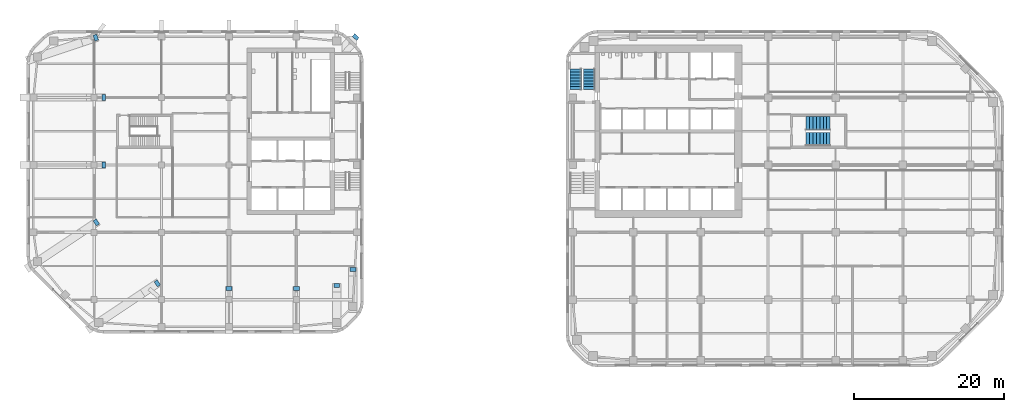
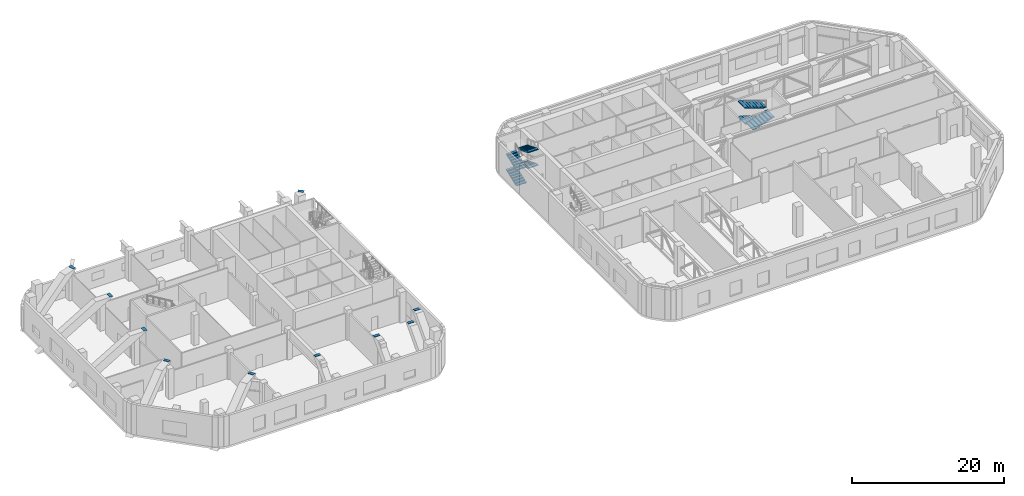
# One storey, part 19 of 23: 10 discrete accessories, 7 stair flights, 2 elements without a shape of their own.
"""IFC4 building model written with IfcOpenShell, lengths in metres."""

import ifcopenshell
import ifcopenshell.guid

model = None  # the IFC model being written
_history = None  # IfcOwnerHistory: only IFC2X3 demands one
_inside = {}  # id of a spatial element -> (the spatial element, [elements in it])
_under = {}  # id of a project, library or spatial element -> (it, [spatial elements below it])
_declared = {}  # id of a project -> (the project, [libraries it declares])
_typed = {}  # id of a type object -> (the type object, [elements of that type])
_made_of = {}  # id of a material, layer set ... -> (it, [elements and type objects made of it])


def new_model(schema):
    """Start an empty IFC model of exactly this schema.

    Asked for "IFC4X3", IfcOpenShell would pick the latest addendum, in which some entities
    have other attributes; the version numbers below select the first issue.
    IFC2X3 requires an IfcOwnerHistory on every rooted entity: one is made here for all.
    """
    global model, _history
    if schema == "IFC4X3":
        model = ifcopenshell.file(schema_version=(4, 3, 0, 0))
    else:
        model = ifcopenshell.file(schema=schema)
    _inside.clear()
    _under.clear()
    _declared.clear()
    _typed.clear()
    _made_of.clear()
    _history = None
    if model.schema == "IFC2X3":
        org = make("IfcOrganization", Name="unknown")
        user = make(
            "IfcPersonAndOrganization",
            ThePerson=make("IfcPerson", FamilyName="unknown"),
            TheOrganization=org,
        )
        app = make(
            "IfcApplication",
            ApplicationDeveloper=org,
            Version="unknown",
            ApplicationFullName="unknown",
            ApplicationIdentifier="unknown",
        )
        _history = make(
            "IfcOwnerHistory",
            OwningUser=user,
            OwningApplication=app,
            ChangeAction="ADDED",
            CreationDate=0,
        )
    return model


def make(cls, **values):
    """One entity of the class cls with the attributes given. An attribute that is None is left unset."""
    return model.create_entity(
        cls, **{name: value for name, value in values.items() if value is not None}
    )


def rooted(cls, **values):
    """An entity with a GlobalId (a new one), such as an element, a storey or a relation."""
    return make(cls, GlobalId=ifcopenshell.guid.new(), OwnerHistory=_history, **values)


def si_unit(unit_type, name, prefix=None):
    """IfcSIUnit, for example si_unit("LENGTHUNIT", "METRE", prefix="MILLI")."""
    return make("IfcSIUnit", UnitType=unit_type, Prefix=prefix, Name=name)


def assignment(units):
    """IfcUnitAssignment: the units of a project."""
    return None if units is None else make("IfcUnitAssignment", Units=units)


def point(xyz):
    """IfcCartesianPoint."""
    return None if xyz is None else make("IfcCartesianPoint", Coordinates=xyz)


def direction(xyz):
    """IfcDirection."""
    return None if xyz is None else make("IfcDirection", DirectionRatios=xyz)


def frame(location, z_axis=None, x_axis=None):
    """IfcAxis2Placement3D, a coordinate frame: its origin and axes. An axis left out is left unset."""
    return make(
        "IfcAxis2Placement3D",
        Location=point(location),
        Axis=direction(z_axis),
        RefDirection=direction(x_axis),
    )


def frame_2d(location, x_axis=None):
    """IfcAxis2Placement2D, a coordinate frame in the plane: its origin and x axis."""
    return make(
        "IfcAxis2Placement2D", Location=point(location), RefDirection=direction(x_axis)
    )


def origin():
    """The frame at (0, 0, 0) with its axes left unset."""
    return frame((0.0, 0.0, 0.0))


def origin_2d():
    """The frame at (0, 0) in the plane with its x axis left unset."""
    return frame_2d((0.0, 0.0))


def place(relative_to, where):
    """IfcLocalPlacement: puts the frame where relative to a parent placement (None: the world)."""
    return make(
        "IfcLocalPlacement", PlacementRelTo=relative_to, RelativePlacement=where
    )


def context(
    kind, dimensions, precision=None, world=None, true_north=None, identifier=None
):
    """IfcGeometricRepresentationContext, for example the 3D "Model" context."""
    return make(
        "IfcGeometricRepresentationContext",
        ContextIdentifier=identifier,
        ContextType=kind,
        CoordinateSpaceDimension=dimensions,
        Precision=precision,
        WorldCoordinateSystem=world,
        TrueNorth=true_north,
    )


def subcontext(parent, identifier, kind, view, scale=None):
    """IfcGeometricRepresentationSubContext, for example "Body" below "Model"."""
    return make(
        "IfcGeometricRepresentationSubContext",
        ContextIdentifier=identifier,
        ContextType=kind,
        ParentContext=parent,
        TargetScale=scale,
        TargetView=view,
    )


def project(units=None, contexts=None):
    """IfcProject with its units and contexts."""
    return rooted(
        "IfcProject",
        Name="project",
        RepresentationContexts=contexts,
        UnitsInContext=assignment(units),
    )


def spatial(cls, under=None, at=None, **own):
    """A site, building, storey or space (cls), placed at a placement, below another one or the project."""
    s = rooted(cls, ObjectPlacement=at, **own)
    if under is not None:
        _under.setdefault(under.id(), (under, []))[1].append(s)
    return s


def polyline(points):
    """IfcPolyline through the points."""
    return make("IfcPolyline", Points=[point(p) for p in points])


def profile(cls, at=None, kind="AREA", **sizes):
    """A parametric profile (cls). Its sizes go by their IFC names, for example OverallWidth=200.0."""
    return make(cls, ProfileType=kind, Position=at, **sizes)


def rectangle(**sizes):
    """IfcRectangleProfileDef."""
    return profile("IfcRectangleProfileDef", **sizes)


def outline(outer, holes=None, kind="AREA"):
    """IfcArbitraryClosedProfileDef: a profile drawn as a closed curve; with holes, ...WithVoids."""
    if holes is None:
        return make("IfcArbitraryClosedProfileDef", ProfileType=kind, OuterCurve=outer)
    return make(
        "IfcArbitraryProfileDefWithVoids",
        ProfileType=kind,
        OuterCurve=outer,
        InnerCurves=holes,
    )


def extrude(swept, where, along, depth):
    """IfcExtrudedAreaSolid: the profile swept, set in the frame where, extruded along a direction by depth."""
    return make(
        "IfcExtrudedAreaSolid",
        SweptArea=swept,
        Position=where,
        ExtrudedDirection=direction(along),
        Depth=depth,
    )


def shape(context_of_items, identifier, shape_type, items):
    """IfcShapeRepresentation: the items that make up one representation, for example the "Body"."""
    return make(
        "IfcShapeRepresentation",
        ContextOfItems=context_of_items,
        RepresentationIdentifier=identifier,
        RepresentationType=shape_type,
        Items=items,
    )


def material(Name=None, Category=None):
    """IfcMaterial."""
    return make("IfcMaterial", Name=Name, Category=Category)


def made_of(thing, what):
    """Note that an element or type object is made of a material, layer set ...; save() writes the relation."""
    if what is not None:
        _made_of.setdefault(what.id(), (what, []))[1].append(thing)
    return thing


def type_object(cls, material=None, **own):
    """A type object (cls), such as IfcWallType, which elements share."""
    return made_of(rooted(cls, **own), material)


def element(
    cls,
    number,
    at=None,
    inside=None,
    cuts=None,
    type_object=None,
    material=None,
    context=None,
    identifier="Body",
    shape_type=None,
    held_by="IfcProductDefinitionShape",
    body=None,
    shapes=None,
    **own,
):
    """One element of the class cls, such as IfcWall. Its Tag is "e" and its number.

    at: its placement. inside: the storey or other place that contains it. cuts: it is an
    opening in that element (IfcRelVoidsElement). A single representation is given by context,
    identifier, shape_type and body (its items); several are given by shapes. held_by: the class
    of the entity that holds the representations. save() writes the other relations.
    """
    e = rooted(cls, Tag="e%d" % number, ObjectPlacement=at, **own)
    if body is not None:
        shapes = [shape(context, identifier, shape_type, body)]
    if shapes is not None:
        e.Representation = make(held_by, Representations=shapes)
    if inside is not None:
        _inside.setdefault(inside.id(), (inside, []))[1].append(e)
    if cuts is not None:
        rooted(
            "IfcRelVoidsElement", RelatingBuildingElement=cuts, RelatedOpeningElement=e
        )
    if type_object is not None:
        _typed.setdefault(type_object.id(), (type_object, []))[1].append(e)
    return made_of(e, material)


def aggregate(whole, parts):
    """IfcRelAggregates: a whole, such as a stair, and the parts it consists of."""
    return rooted("IfcRelAggregates", RelatingObject=whole, RelatedObjects=parts)


def save(model, path):
    """Write the relations noted so far, then the file.

    IfcRelAggregates (storeys below a building ...), IfcRelContainedInSpatialStructure (elements
    in a storey), IfcRelDefinesByType, IfcRelAssociatesMaterial and IfcRelDeclares: one each for
    every whole, place, type object, material and project.
    """
    for whole, parts in _under.values():
        aggregate(whole, parts)
    for where, things in _inside.values():
        rooted(
            "IfcRelContainedInSpatialStructure",
            RelatedElements=things,
            RelatingStructure=where,
        )
    for kind, things in _typed.values():
        rooted("IfcRelDefinesByType", RelatedObjects=things, RelatingType=kind)
    for what, things in _made_of.values():
        rooted("IfcRelAssociatesMaterial", RelatedObjects=things, RelatingMaterial=what)
    for by, libraries in _declared.values():
        rooted("IfcRelDeclares", RelatingContext=by, RelatedDefinitions=libraries)
    model.write(path)


model = new_model("IFC4")

# Units and contexts
model_context = context("Model", 3, precision=1e-05, world=origin(), true_north=direction((0.0, 1.0)))
body_context = subcontext(model_context, "Body", "Model", "MODEL_VIEW")
ifc_project = project(units=[si_unit("LENGTHUNIT", "METRE"), si_unit("AREAUNIT", "SQUARE_METRE"), si_unit("VOLUMEUNIT", "CUBIC_METRE"), si_unit("PLANEANGLEUNIT", "RADIAN"), si_unit("MASSUNIT", "GRAM", prefix="KILO")], contexts=[model_context])

# Site, building, storey
site_placement = place(None, origin())
site = spatial("IfcSite", under=ifc_project, at=site_placement, CompositionType="ELEMENT")
building_placement = place(site_placement, origin())
building = spatial("IfcBuilding", under=site, at=building_placement, Name="Cinnabar Reach Civic Tower", CompositionType="ELEMENT")
storey_placement = place(building_placement, frame((0.0, 0.0, 46.0)))
storey = spatial("IfcBuildingStorey", under=building, at=storey_placement, Name="L10", CompositionType="ELEMENT", Elevation=46.0)

# Stair, stair flights
ifc_material_1 = material(Name="Concrete C40/50", Category="concrete")
stair_type = type_object("IfcStairType", Name="T1 Exit stair, double return", PredefinedType="DOUBLE_RETURN_STAIR", material=ifc_material_1)
stair_1_placement = place(storey_placement, origin())
stair_1 = element("IfcStair", 1, at=stair_1_placement, inside=storey, type_object=stair_type, Name="Stair T1-S2", PredefinedType="DOUBLE_RETURN_STAIR")
stair_flight_type = type_object("IfcStairFlightType", Name="T1 Stair flight, concrete", PredefinedType="STRAIGHT", material=ifc_material_1)
stair_flight_1_placement = place(storey_placement, frame((1.3125, 37.05, 0.0), z_axis=(0.0, 0.0, 1.0), x_axis=(0.0, 1.0, 0.0)))
stair_flight_1 = element("IfcStairFlight", 2, at=stair_flight_1_placement, type_object=stair_flight_type, Name="T1-S2 flight 1", NumberOfRisers=8, NumberOfTreads=7, PredefinedType="STRAIGHT", RiserHeight=0.15625, TreadLength=0.392142857, context=body_context, shape_type="SweptSolid", body=[
    extrude(outline(polyline([(0.0, 0.0), (0.0, 0.1562), (0.3921, 0.1562), (0.3921, 0.3125), (0.7843, 0.3125), (0.7843, 0.4688), (1.1764, 0.4688), (1.1764, 0.625), (1.5686, 0.625), (1.5686, 0.7812), (1.9607, 0.7812), (1.9607, 0.9375), (2.3529, 0.9375), (2.3529, 1.0938), (2.745, 1.0938), (2.745, 1.25), (2.745, 0.9323), (0.4052, 0.0), (0.0, 0.0)])), frame((0.0, 0.7625, 0.0), z_axis=(0.0, -1.0, 0.0), x_axis=(1.0, 0.0, 0.0)), (0.0, 0.0, 1.0), 1.525),
])
stair_flight_2_placement = place(storey_placement, frame((3.0875, 39.795, 1.25), z_axis=(0.0, 0.0, 1.0), x_axis=(0.0, -1.0, 0.0)))
stair_flight_2 = element("IfcStairFlight", 3, at=stair_flight_2_placement, type_object=stair_flight_type, Name="T1-S2 flight 2", NumberOfRisers=8, NumberOfTreads=7, PredefinedType="STRAIGHT", RiserHeight=0.15625, TreadLength=0.392142857, context=body_context, shape_type="SweptSolid", body=[
    extrude(outline(polyline([(0.0, 0.0), (0.0, 0.1562), (0.3921, 0.1562), (0.3921, 0.3125), (0.7843, 0.3125), (0.7843, 0.4688), (1.1764, 0.4688), (1.1764, 0.625), (1.5686, 0.625), (1.5686, 0.7812), (1.9607, 0.7812), (1.9607, 0.9375), (2.3529, 0.9375), (2.3529, 1.0938), (2.745, 1.0938), (2.745, 1.25), (2.745, 0.9323), (0.4052, 0.0), (0.0, 0.0)])), frame((0.0, 0.7625, 0.0), z_axis=(0.0, -1.0, 0.0), x_axis=(1.0, 0.0, 0.0)), (0.0, 0.0, 1.0), 1.525),
])
stair_flight_3_placement = place(storey_placement, frame((1.3125, 37.05, 2.5), z_axis=(0.0, 0.0, 1.0), x_axis=(0.0, 1.0, 0.0)))
stair_flight_3 = element("IfcStairFlight", 4, at=stair_flight_3_placement, type_object=stair_flight_type, Name="T1-S2 flight 3", NumberOfRisers=8, NumberOfTreads=7, PredefinedType="STRAIGHT", RiserHeight=0.15625, TreadLength=0.392142857, context=body_context, shape_type="SweptSolid", body=[
    extrude(outline(polyline([(0.0, 0.0), (0.0, 0.1562), (0.3921, 0.1562), (0.3921, 0.3125), (0.7843, 0.3125), (0.7843, 0.4688), (1.1764, 0.4688), (1.1764, 0.625), (1.5686, 0.625), (1.5686, 0.7812), (1.9607, 0.7812), (1.9607, 0.9375), (2.3529, 0.9375), (2.3529, 1.0938), (2.745, 1.0938), (2.745, 1.25), (2.745, 0.9323), (0.4052, 0.0), (0.0, 0.0)])), frame((0.0, 0.7625, 0.0), z_axis=(0.0, -1.0, 0.0), x_axis=(1.0, 0.0, 0.0)), (0.0, 0.0, 1.0), 1.525),
])
stair_flight_4_placement = place(storey_placement, frame((3.0875, 39.795, 3.75), z_axis=(0.0, 0.0, 1.0), x_axis=(0.0, -1.0, 0.0)))
stair_flight_4 = element("IfcStairFlight", 5, at=stair_flight_4_placement, type_object=stair_flight_type, Name="T1-S2 flight 4", NumberOfRisers=8, NumberOfTreads=7, PredefinedType="STRAIGHT", RiserHeight=0.15625, TreadLength=0.392142857, context=body_context, shape_type="SweptSolid", body=[
    extrude(outline(polyline([(0.0, 0.0), (0.0, 0.1562), (0.3921, 0.1562), (0.3921, 0.3125), (0.7843, 0.3125), (0.7843, 0.4688), (1.1764, 0.4688), (1.1764, 0.625), (1.5686, 0.625), (1.5686, 0.7812), (1.9607, 0.7812), (1.9607, 0.9375), (2.3529, 0.9375), (2.3529, 1.0938), (2.745, 1.0938), (2.745, 1.25), (2.745, 0.9323), (0.4052, 0.0), (0.0, 0.0)])), frame((0.0, 0.7625, 0.0), z_axis=(0.0, -1.0, 0.0), x_axis=(1.0, 0.0, 0.0)), (0.0, 0.0, 1.0), 1.525),
])
aggregate(stair_1, [stair_flight_1, stair_flight_2, stair_flight_3, stair_flight_4])

stair_2_placement = place(storey_placement, origin())
stair_2 = element("IfcStair", 6, at=stair_2_placement, inside=storey, type_object=stair_type, Name="Stair T1-S3", PredefinedType="DOUBLE_RETURN_STAIR")
stair_flight_5_placement = place(storey_placement, frame((35.29, 32.55, 1.25), z_axis=(0.0, 0.0, 1.0), x_axis=(-1.0, 0.0, 0.0)))
stair_flight_5 = element("IfcStairFlight", 7, at=stair_flight_5_placement, type_object=stair_flight_type, Name="T1-S3 flight 2", NumberOfRisers=8, NumberOfTreads=7, PredefinedType="STRAIGHT", RiserHeight=0.15625, TreadLength=0.462857143, context=body_context, shape_type="SweptSolid", body=[
    extrude(outline(polyline([(0.0, 0.0), (0.0, 0.1562), (0.4629, 0.1562), (0.4629, 0.3125), (0.9257, 0.3125), (0.9257, 0.4688), (1.3886, 0.4688), (1.3886, 0.625), (1.8514, 0.625), (1.8514, 0.7812), (2.3143, 0.7812), (2.3143, 0.9375), (2.7771, 0.9375), (2.7771, 1.0938), (3.24, 1.0938), (3.24, 1.25), (3.24, 0.9354), (0.469, 0.0), (0.0, 0.0)])), frame((0.0, 0.9, 0.0), z_axis=(0.0, -1.0, 0.0), x_axis=(1.0, 0.0, 0.0)), (0.0, 0.0, 1.0), 1.8),
])
stair_flight_6_placement = place(storey_placement, frame((32.05, 30.45, 2.5), z_axis=(0.0, 0.0, 1.0), x_axis=(1.0, 0.0, 0.0)))
stair_flight_6 = element("IfcStairFlight", 8, at=stair_flight_6_placement, type_object=stair_flight_type, Name="T1-S3 flight 3", NumberOfRisers=8, NumberOfTreads=7, PredefinedType="STRAIGHT", RiserHeight=0.15625, TreadLength=0.462857143, context=body_context, shape_type="SweptSolid", body=[
    extrude(outline(polyline([(0.0, 0.0), (0.0, 0.1562), (0.4629, 0.1562), (0.4629, 0.3125), (0.9257, 0.3125), (0.9257, 0.4688), (1.3886, 0.4688), (1.3886, 0.625), (1.8514, 0.625), (1.8514, 0.7812), (2.3143, 0.7812), (2.3143, 0.9375), (2.7771, 0.9375), (2.7771, 1.0938), (3.24, 1.0938), (3.24, 1.25), (3.24, 0.9354), (0.469, 0.0), (0.0, 0.0)])), frame((0.0, 0.9, 0.0), z_axis=(0.0, -1.0, 0.0), x_axis=(1.0, 0.0, 0.0)), (0.0, 0.0, 1.0), 1.8),
])
stair_flight_7_placement = place(storey_placement, frame((35.29, 32.55, 3.75), z_axis=(0.0, 0.0, 1.0), x_axis=(-1.0, 0.0, 0.0)))
stair_flight_7 = element("IfcStairFlight", 9, at=stair_flight_7_placement, type_object=stair_flight_type, Name="T1-S3 flight 4", NumberOfRisers=8, NumberOfTreads=7, PredefinedType="STRAIGHT", RiserHeight=0.15625, TreadLength=0.462857143, context=body_context, shape_type="SweptSolid", body=[
    extrude(outline(polyline([(0.0, 0.0), (0.0, 0.1562), (0.4629, 0.1562), (0.4629, 0.3125), (0.9257, 0.3125), (0.9257, 0.4688), (1.3886, 0.4688), (1.3886, 0.625), (1.8514, 0.625), (1.8514, 0.7812), (2.3143, 0.7812), (2.3143, 0.9375), (2.7771, 0.9375), (2.7771, 1.0938), (3.24, 1.0938), (3.24, 1.25), (3.24, 0.9354), (0.469, 0.0), (0.0, 0.0)])), frame((0.0, 0.9, 0.0), z_axis=(0.0, -1.0, 0.0), x_axis=(1.0, 0.0, 0.0)), (0.0, 0.0, 1.0), 1.8),
])
aggregate(stair_2, [stair_flight_5, stair_flight_6, stair_flight_7])

# Discrete accessories
ifc_material_2 = material(Name="Steel Q355B", Category="steel")
discrete_accessory_type = type_object("IfcDiscreteAccessoryType", Name="Raked column head plate", PredefinedType="USERDEFINED", material=ifc_material_2)
for number, where, z_axis, x_axis, name in (
    (10, (-54.5657, 11.1747, 4.98), (0.0, 0.0, 1.0), (0.83205094808, 0.554699215611, 0.0), "Raked column head plate"),
    (11, (-30.6019, 10.8923, 4.98), (0.0, 0.0, 1.0), (0.0, 1.0, 0.0), "Raked column head plate"),
    (12, (-28.4531, 13.0411, 4.98), (0.0, 0.0, 1.0), (0.0, 1.0, 0.0), "Raked column head plate"),
    (13, (-28.0725, 44.0677, 4.98), (0.0, 0.0, 1.0), (0.671849873885, 0.740687347645, 0.0), "Raked column head plate"),
    (14, (-62.7818, 43.9865, 4.98), (0.0, 0.0, 1.0), (0.948683015593, 0.316228613389, 0.0), "Raked column head plate"),
    (15, (-62.7145, 19.3235, 4.98), (0.0, 0.0, 1.0), (0.83205094808, 0.554699215611, 0.0), "Raked column head plate"),
    (16, (-45.0, 10.4892, 4.98), (0.0, 0.0, 1.0), (0.0, 1.0, 0.0), "Raked column head plate"),
    (17, (-36.0, 10.4892, 4.98), (0.0, 0.0, 1.0), (0.0, 1.0, 0.0), "Raked column head plate"),
    (18, (-61.6995, 27.0, 4.98), (0.0, 0.0, 1.0), (1.0, 0.0, 0.0), "Raked column head plate"),
    (19, (-61.6995, 36.0, 4.98), (0.0, 0.0, 1.0), (1.0, 0.0, 0.0), "Raked column head plate"),
):
    element("IfcDiscreteAccessory", number, at=place(storey_placement, frame(where, z_axis=z_axis, x_axis=x_axis)), inside=storey, type_object=discrete_accessory_type, Name=name, ObjectType="HEAD PLATE", PredefinedType="USERDEFINED", context=body_context, shape_type="SweptSolid", body=[
        extrude(rectangle(XDim=0.5, YDim=0.8, at=origin_2d()), origin(), (0.0, 0.0, 1.0), 0.02),
    ])

save(model, "model.ifc")
